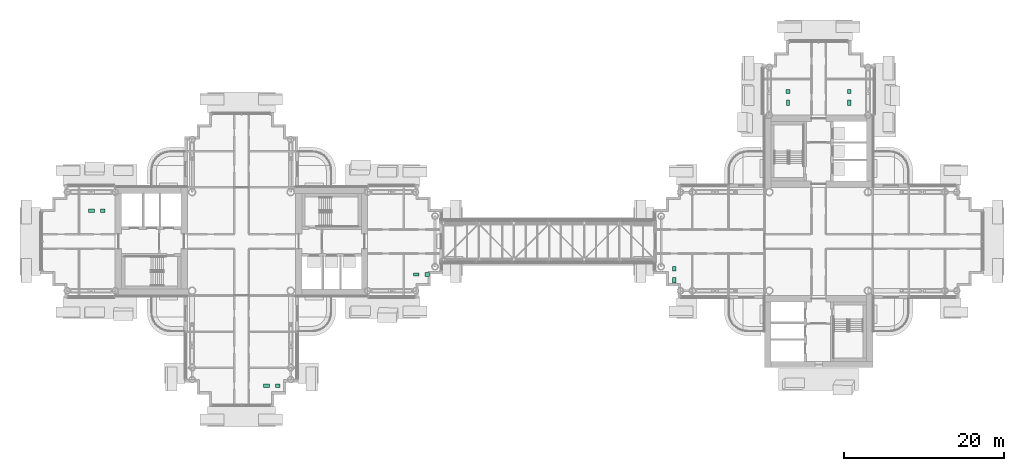
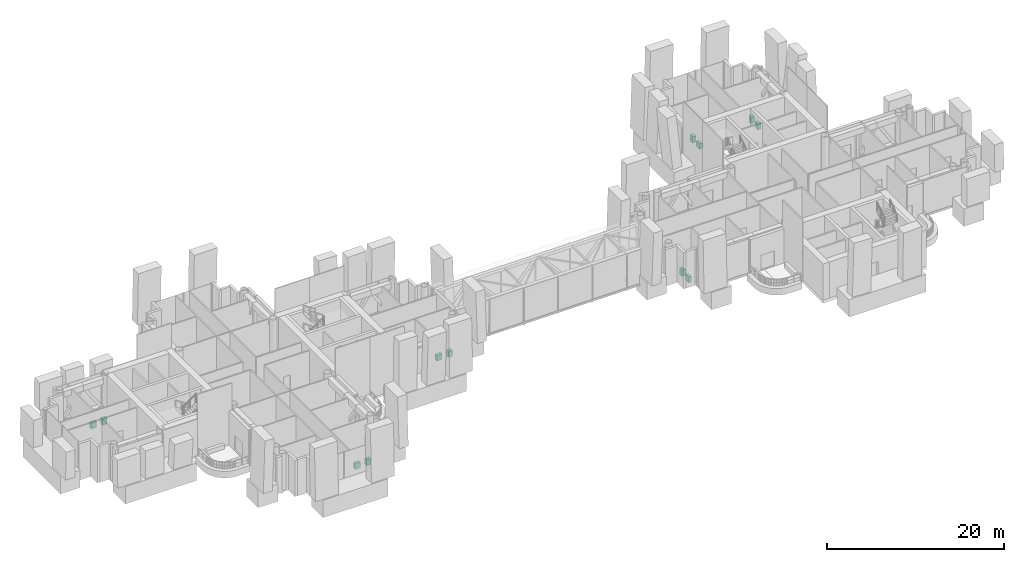
# One storey, part 33 of 34: 12 sanitary terminals.
"""IFC4 building model written with IfcOpenShell, lengths in metres."""

from ifc_helpers import new_model, si_unit, direction, frame, origin, origin_2d, place, context, subcontext, project, spatial, rectangle, extrude, material, type_object, element, save


model = new_model("IFC4")

# Units and contexts
model_context = context("Model", 3, precision=1e-05, world=origin(), true_north=direction((0.0, 1.0)))
body_context = subcontext(model_context, "Body", "Model", "MODEL_VIEW")
ifc_project = project(units=[si_unit("LENGTHUNIT", "METRE"), si_unit("AREAUNIT", "SQUARE_METRE"), si_unit("VOLUMEUNIT", "CUBIC_METRE"), si_unit("PLANEANGLEUNIT", "RADIAN"), si_unit("MASSUNIT", "GRAM", prefix="KILO")], contexts=[model_context])

# Site, building, storey
site_placement = place(None, origin())
site = spatial("IfcSite", under=ifc_project, at=site_placement, CompositionType="ELEMENT")
building_placement = place(site_placement, origin())
building = spatial("IfcBuilding", under=site, at=building_placement, Name="Ipe Terrace Towers", CompositionType="ELEMENT")
storey_placement = place(building_placement, frame((0.0, 0.0, 128.699951171875)))
storey = spatial("IfcBuildingStorey", under=building, at=storey_placement, Name="L35", CompositionType="ELEMENT", Elevation=128.699951171875)

# Sanitary terminals
ifc_material_1 = material(Name="Vitreous china", Category="ceramic")
sanitary_terminal_type_1 = type_object("IfcSanitaryTerminalType", Name="Wash basin", PredefinedType="WASHHANDBASIN", material=ifc_material_1)
for number, where, z_axis, x_axis, name in (
    (1, (-12.800048828125, -4.125, 0.0), (0.0, 0.0, 1.0), (1.0, 0.0, 0.0), "Wash basin"),
    (2, (-53.300048828125, 3.824951171875, 0.0), (0.0, 0.0, 1.0), (1.0, 0.0, 0.0), "Wash basin"),
    (3, (-31.47509765625, -18.0, 0.0), (0.0, 0.0, 1.0), (1.0, 0.0, 0.0), "Wash basin"),
    (4, (32.175048828125, 18.699951171875, 0.0), (0.0, 0.0, 1.0), (0.0, 1.0, 0.0), "Wash basin"),
    (5, (39.824951171875, 18.699951171875, 0.0), (0.0, 0.0, 1.0), (0.0, 1.0, 0.0), "Wash basin"),
    (6, (18.0, -3.425048828125, 0.0), (0.0, 0.0, 1.0), (0.0, 1.0, 0.0), "Wash basin"),
):
    element("IfcSanitaryTerminal", number, at=place(storey_placement, frame(where, z_axis=z_axis, x_axis=x_axis)), inside=storey, type_object=sanitary_terminal_type_1, Name=name, PredefinedType="WASHHANDBASIN", context=body_context, shape_type="SweptSolid", body=[
        extrude(rectangle(XDim=0.550048828125, YDim=0.449951171875, at=origin_2d()), origin(), (0.0, 0.0, 1.0), 0.85009765625),
    ])
ifc_material_2 = material(Name="Vitreous china", Category="ceramic")
sanitary_terminal_type_2 = type_object("IfcSanitaryTerminalType", Name="Water closet", PredefinedType="TOILETPAN", material=ifc_material_2)
for number, where, z_axis, x_axis, name in (
    (7, (-14.199951171875, -4.125, 0.0), (0.0, 0.0, 1.0), (1.0, 0.0, 0.0), "Water closet"),
    (8, (-54.699951171875, 3.824951171875, 0.0), (0.0, 0.0, 1.0), (1.0, 0.0, 0.0), "Water closet"),
    (9, (-32.875, -18.0, 0.0), (0.0, 0.0, 1.0), (1.0, 0.0, 0.0), "Water closet"),
    (10, (32.175048828125, 17.300048828125, 0.0), (0.0, 0.0, 1.0), (0.0, 1.0, 0.0), "Water closet"),
    (11, (39.824951171875, 17.300048828125, 0.0), (0.0, 0.0, 1.0), (0.0, 1.0, 0.0), "Water closet"),
    (12, (18.0, -4.824951171875, 0.0), (0.0, 0.0, 1.0), (0.0, 1.0, 0.0), "Water closet"),
):
    element("IfcSanitaryTerminal", number, at=place(storey_placement, frame(where, z_axis=z_axis, x_axis=x_axis)), inside=storey, type_object=sanitary_terminal_type_2, Name=name, PredefinedType="TOILETPAN", context=body_context, shape_type="SweptSolid", body=[
        extrude(rectangle(XDim=0.699951171875, YDim=0.39990234375, at=origin_2d()), origin(), (0.0, 0.0, 1.0), 0.780029296875),
    ])

save(model, "model.ifc")
